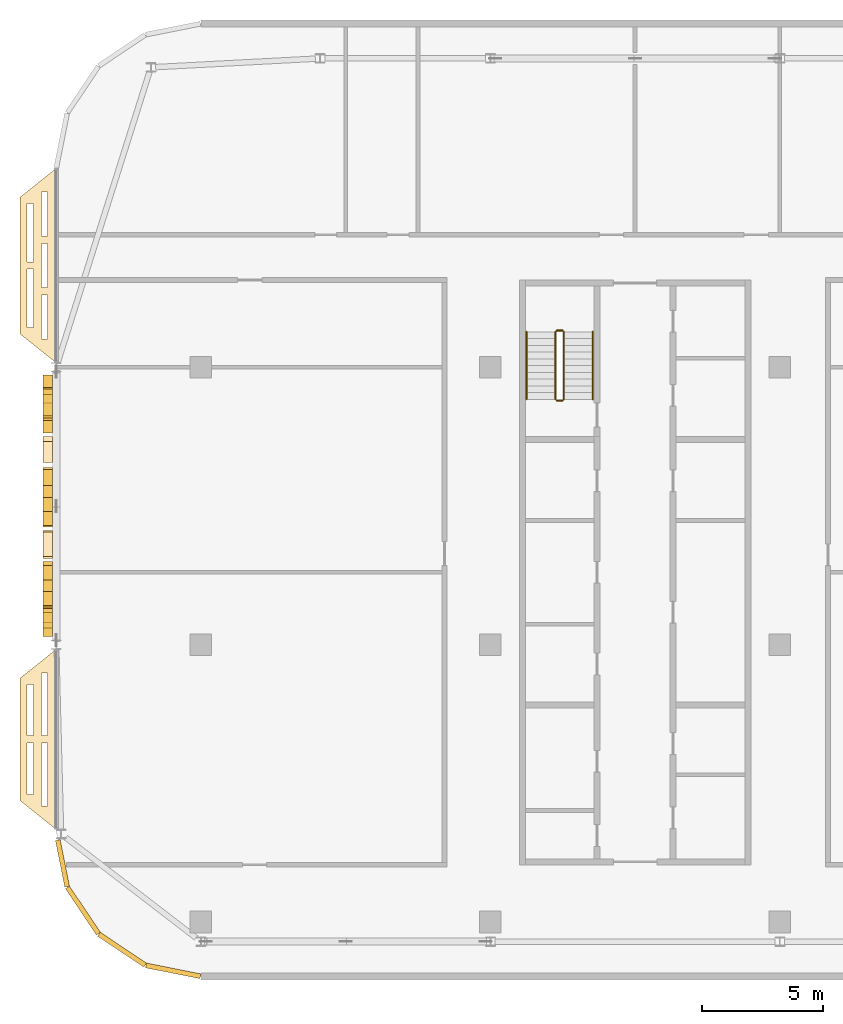
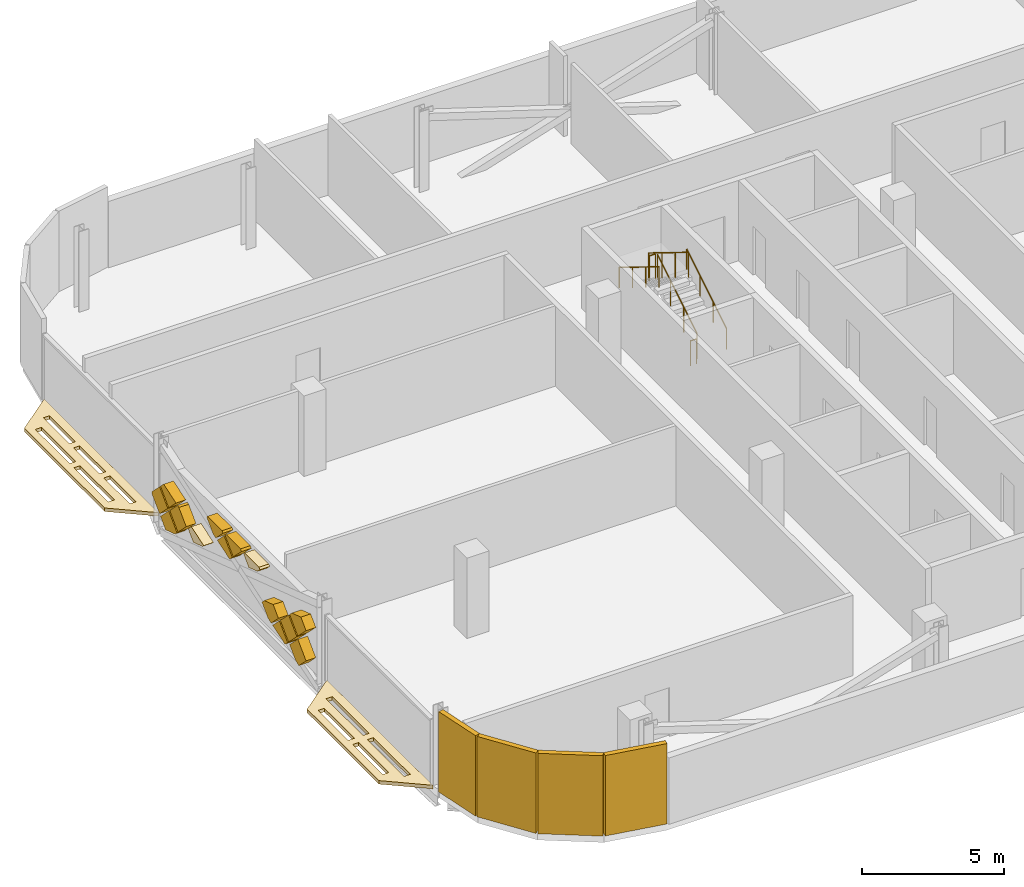
# One storey, part 24 of 28: 20 coverings, 6 railings.
"""IFC4 building model written with IfcOpenShell, lengths in metres."""

from ifc_helpers import new_model, si_unit, direction, frame, origin, origin_2d, place, context, subcontext, project, spatial, polyline, rectangle, circle, outline, extrude, material, layer, layer_set, type_object, element, save


model = new_model("IFC4")

# Units and contexts
model_context = context("Model", 3, precision=1e-05, world=origin(), true_north=direction((0.0, 1.0)))
body_context = subcontext(model_context, "Body", "Model", "MODEL_VIEW")
ifc_project = project(units=[si_unit("LENGTHUNIT", "METRE"), si_unit("AREAUNIT", "SQUARE_METRE"), si_unit("VOLUMEUNIT", "CUBIC_METRE"), si_unit("PLANEANGLEUNIT", "RADIAN"), si_unit("MASSUNIT", "GRAM", prefix="KILO")], contexts=[model_context])

# Site, building, storey
site_placement = place(None, origin())
site = spatial("IfcSite", under=ifc_project, at=site_placement, CompositionType="ELEMENT")
building_placement = place(site_placement, origin())
building = spatial("IfcBuilding", under=site, at=building_placement, Name="Mahtab Terrace Research Tower", CompositionType="ELEMENT")
storey_placement = place(building_placement, frame((0.0, 0.0, 267.10009765625)))
storey = spatial("IfcBuildingStorey", under=building, at=storey_placement, Name="L65", CompositionType="ELEMENT", Elevation=267.10009765625)

# Coverings
ifc_material_1 = material(Name="Black aluminium cladding panel", Category="aluminium")
ifc_layer_1 = layer(ifc_material_1, 0.199951171875)
ifc_layer_set_1 = layer_set([ifc_layer_1], Name="Black metal corner cladding 200")
covering_type_1 = type_object("IfcCoveringType", Name="Black metal corner cladding 200", PredefinedType="CLADDING", material=ifc_layer_set_1)
covering_1_placement = place(storey_placement, frame((-47.73876953125, -9.063720703125, 0.0), z_axis=(0.0, 0.0, 1.0), x_axis=(0.195212442692, -0.980760981187, 0.0)))
element("IfcCovering", 1, at=covering_1_placement, inside=storey, type_object=covering_type_1, Name="Corner cladding L65 11", PredefinedType="CLADDING", context=body_context, shape_type="SweptSolid", body=[
    extrude(rectangle(XDim=1.965576171875, YDim=0.199951171875, at=origin_2d()), origin(), (0.0, 0.0, 1.0), 3.4599609375),
])
for number, where, z_axis, x_axis, name in (
    (2, (-46.89306640625, -11.0205078125, 0.0), (0.0, 0.0, 1.0), (0.555291490808, -0.831655794326, 0.0), "Corner cladding L65 12"),
    (3, (-45.26953125, -12.64404296875, 0.0), (0.0, 0.0, 1.0), (0.831655794326, -0.555291490808, 0.0), "Corner cladding L65 13"),
    (4, (-43.14794921875, -13.5224609375, 0.0), (0.0, 0.0, 1.0), (0.980760981187, -0.195212442692, 0.0), "Corner cladding L65 14"),
):
    element("IfcCovering", number, at=place(storey_placement, frame(where, z_axis=z_axis, x_axis=x_axis)), inside=storey, type_object=covering_type_1, Name=name, PredefinedType="CLADDING", context=body_context, shape_type="SweptSolid", body=[
        extrude(rectangle(XDim=2.30126953125, YDim=0.199951171875, at=origin_2d()), origin(), (0.0, 0.0, 1.0), 3.4599609375),
    ])
ifc_material_2 = material(Name="Black anodised aluminium", Category="aluminium")
ifc_layer_2 = layer(ifc_material_2, 0.14990234375)
ifc_layer_set_2 = layer_set([ifc_layer_2], Name="Horizontal sunshade band")
covering_type_2 = type_object("IfcCoveringType", Name="Horizontal sunshade band", PredefinedType="CLADDING", material=ifc_layer_set_2)
covering_2_placement = place(storey_placement, frame((0.0, 0.0, -0.150146484375)))
element("IfcCovering", 5, at=covering_2_placement, inside=storey, type_object=covering_type_2, Name="Sunshade band L65 8", PredefinedType="CLADDING", context=body_context, shape_type="SweptSolid", body=[
    extrude(outline(polyline([(-48.0, 19.7509765625), (-48.0, 11.68798828125), (-49.5, 12.887939453125), (-49.5, 18.551025390625), (-48.0, 19.7509765625)]), holes=[polyline([(-48.35009765625, 18.77099609375), (-48.35009765625, 16.93701171875), (-48.60009765625, 16.93701171875), (-48.60009765625, 18.77099609375), (-48.35009765625, 18.77099609375)]), polyline([(-48.35009765625, 16.636962890625), (-48.35009765625, 14.802001953125), (-48.60009765625, 14.802001953125), (-48.60009765625, 16.636962890625), (-48.35009765625, 16.636962890625)]), polyline([(-48.35009765625, 14.501953125), (-48.35009765625, 12.66796875), (-48.60009765625, 12.66796875), (-48.60009765625, 14.501953125), (-48.35009765625, 14.501953125)]), polyline([(-48.949951171875, 18.291015625), (-48.949951171875, 15.8701171875), (-49.199951171875, 15.8701171875), (-49.199951171875, 18.291015625), (-48.949951171875, 18.291015625)]), polyline([(-48.949951171875, 15.570068359375), (-48.949951171875, 13.14794921875), (-49.199951171875, 13.14794921875), (-49.199951171875, 15.570068359375), (-48.949951171875, 15.570068359375)])]), origin(), (0.0, 0.0, 1.0), 0.150146484375),
])
covering_3_placement = place(storey_placement, frame((0.0, 0.0, -0.150146484375)))
element("IfcCovering", 6, at=covering_3_placement, inside=storey, type_object=covering_type_2, Name="Sunshade band L65 10", PredefinedType="CLADDING", context=body_context, shape_type="SweptSolid", body=[
    extrude(outline(polyline([(-48.0, -0.18798828125), (-48.0, -7.659912109375), (-49.5, -6.4599609375), (-49.5, -1.387939453125), (-48.0, -0.18798828125)]), holes=[polyline([(-48.35009765625, -1.16796875), (-48.35009765625, -3.77392578125), (-48.60009765625, -3.77392578125), (-48.60009765625, -1.16796875), (-48.35009765625, -1.16796875)]), polyline([(-48.35009765625, -4.073974609375), (-48.35009765625, -6.679931640625), (-48.60009765625, -6.679931640625), (-48.60009765625, -4.073974609375), (-48.35009765625, -4.073974609375)]), polyline([(-48.949951171875, -1.64794921875), (-48.949951171875, -3.77392578125), (-49.199951171875, -3.77392578125), (-49.199951171875, -1.64794921875), (-48.949951171875, -1.64794921875)]), polyline([(-48.949951171875, -4.073974609375), (-48.949951171875, -6.199951171875), (-49.199951171875, -6.199951171875), (-49.199951171875, -4.073974609375), (-48.949951171875, -4.073974609375)])]), origin(), (0.0, 0.0, 1.0), 0.150146484375),
])
ifc_material_3 = material(Name="Bronze anodised aluminium", Category="aluminium")
ifc_layer_3 = layer(ifc_material_3, 0.39990234375)
ifc_layer_set_3 = layer_set([ifc_layer_3], Name="Mashrabiya relief panel 400")
covering_type_3 = type_object("IfcCoveringType", Name="Mashrabiya relief panel 400", PredefinedType="CLADDING", material=ifc_layer_set_3)
covering_4_placement = place(storey_placement, frame((-48.14990234375, 10.662109375, 1.929931640625), z_axis=(1.0, 0.0, 0.0), x_axis=(0.0, -0.707106781187, -0.707106781187)))
element("IfcCovering", 7, at=covering_4_placement, inside=storey, type_object=covering_type_3, Name="Mashrabiya lattice cell L65 W9.1", PredefinedType="CLADDING", context=body_context, shape_type="SweptSolid", body=[
    extrude(outline(polyline([(0.0, 0.0), (0.8203543516109556, 0.0), (0.820181718119455, 0.820181718119455), (0.0920136509698315, 0.820181718119455), (0.0001726334915005956, 0.728340700641124), (0.0, 0.0)])), origin(), (0.0, 0.0, -1.0), 0.39990234375),
])
covering_5_placement = place(storey_placement, frame((-48.14990234375, 10.592041015625, 0.699951171875), z_axis=(1.0, 0.0, 0.0), x_axis=(0.0, -0.707255598772, 0.706957932274)))
element("IfcCovering", 8, at=covering_5_placement, inside=storey, type_object=covering_type_3, Name="Mashrabiya lattice cell L65 W9.2", PredefinedType="CLADDING", context=body_context, shape_type="SweptSolid", body=[
    extrude(outline(polyline([(0.0, 0.0), (0.8201817362875763, 0.0), (0.8205270032629295, 0.8201816636150915), (0.6154384199031768, 0.8202248310710712), (0.00010748260504045426, 0.5106498565472628), (0.0, 0.0)])), origin(), (0.0, 0.0, -1.0), 0.39990234375),
])
covering_6_placement = place(storey_placement, frame((-48.14990234375, 10.011962890625, 1.419921875), z_axis=(1.0, 0.0, 0.0), x_axis=(0.0, 0.707106781187, 0.707106781187)))
element("IfcCovering", 9, at=covering_6_placement, inside=storey, type_object=covering_type_3, Name="Mashrabiya lattice cell L65 W9.3", PredefinedType="CLADDING", context=body_context, shape_type="SweptSolid", body=[
    extrude(outline(polyline([(0.0, 0.0), (0.8203543516109556, 0.0), (0.8203543516109556, 0.3110855516841208), (0.0, 0.7240248633536085), (0.0, 0.0)])), origin(), (0.0, 0.0, -1.0), 0.39990234375),
])
covering_7_placement = place(storey_placement, frame((-48.14990234375, 8.781982421875, 1.349853515625), z_axis=(1.0, 0.0, 0.0), x_axis=(0.0, 0.707255598772, -0.706957932274)))
element("IfcCovering", 10, at=covering_7_placement, inside=storey, type_object=covering_type_3, Name="Mashrabiya lattice cell L65 W9.4", PredefinedType="CLADDING", context=body_context, shape_type="SweptSolid", body=[
    extrude(outline(polyline([(0.0, 0.0), (0.8201817362875763, 0.0), (0.8203543334390104, 0.8200090664636573), (0.04678371149659005, 0.8203445226535605), (0.0001533389429583809, 0.7285133179950809), (0.0, 0.0)])), origin(), (0.0, 0.0, -1.0), 0.39990234375),
])
covering_8_placement = place(storey_placement, frame((-48.14990234375, 8.64208984375, 1.349853515625), z_axis=(1.0, 0.0, 0.0), x_axis=(0.0, -0.707106781187, 0.707106781187)))
element("IfcCovering", 11, at=covering_8_placement, inside=storey, type_object=covering_type_3, Name="Mashrabiya lattice cell L65 W9.5", PredefinedType="CLADDING", context=body_context, shape_type="SweptSolid", body=[
    extrude(outline(polyline([(0.0, 0.0), (0.3169550903951419, 0.0), (0.7298944020646297, 0.8203543516109556), (0.6040445867606762, 0.820181718119455), (0.0, 0.5161741395868596), (0.0, 0.0)])), origin(), (0.0, 0.0, -1.0), 0.39990234375),
])
covering_9_placement = place(storey_placement, frame((-48.14990234375, 7.342041015625, 2.64990234375), z_axis=(1.0, 0.0, 0.0), x_axis=(0.0, -0.707106781187, 0.707106781187)))
element("IfcCovering", 12, at=covering_9_placement, inside=storey, type_object=covering_type_3, Name="Mashrabiya lattice cell L65 W9.6", PredefinedType="CLADDING", context=body_context, shape_type="SweptSolid", body=[
    extrude(outline(polyline([(0.0, 0.0), (0.09632948825734705, 0.0), (0.8203543516109556, 0.7240248633536085), (0.8203543516109556, 0.8203543516109556), (0.08907888161432093, 0.8203543516109555), (0.0, 0.6421965883823137), (0.0, 0.0)])), origin(), (0.0, 0.0, -1.0), 0.39990234375),
])
covering_10_placement = place(storey_placement, frame((-48.14990234375, 6.112060546875, 2.579833984375), z_axis=(1.0, 0.0, 0.0), x_axis=(0.0, -0.707255598772, -0.706957932274)))
element("IfcCovering", 13, at=covering_10_placement, inside=storey, type_object=covering_type_3, Name="Mashrabiya lattice cell L65 W9.7", PredefinedType="CLADDING", context=body_context, shape_type="SweptSolid", body=[
    extrude(outline(polyline([(0.0, 0.0), (0.8201817362875763, 0.0), (0.8201337724475988, 0.2278762037330585), (0.7933642812863435, 0.2815595862828953), (-0.00014316479508436064, 0.6801759414456442), (0.0, 0.0)])), origin(), (0.0, 0.0, -1.0), 0.39990234375),
])
covering_11_placement = place(storey_placement, frame((-48.14990234375, 4.882080078125, 2.64990234375), z_axis=(1.0, 0.0, 0.0), x_axis=(0.0, 0.706957932274, -0.707255598772)))
element("IfcCovering", 14, at=covering_11_placement, inside=storey, type_object=covering_type_3, Name="Mashrabiya lattice cell L65 W9.8", PredefinedType="CLADDING", context=body_context, shape_type="SweptSolid", body=[
    extrude(outline(polyline([(0.0, 0.0), (0.8201817362875763, 0.0), (0.8200090664636573, 0.8203543334390104), (0.7238521774915713, 0.8205067276396663), (-0.00019287277469736547, 0.0961568162996012), (0.0, 0.0)])), origin(), (0.0, 0.0, -1.0), 0.39990234375),
])
covering_12_placement = place(storey_placement, frame((-48.14990234375, 4.741943359375, 2.64990234375), z_axis=(1.0, 0.0, 0.0), x_axis=(0.0, -0.705836152128, 0.708375131092)))
element("IfcCovering", 15, at=covering_12_placement, inside=storey, type_object=covering_type_3, Name="Mashrabiya lattice cell L65 W9.9", PredefinedType="CLADDING", context=body_context, shape_type="SweptSolid", body=[
    extrude(outline(polyline([(0.0, 0.0), (0.0961570097329491, 0.0), (0.8190531665140134, 0.7254965026687659), (0.8187079000874461, 0.8216528925338038), (0.5784024671966042, 0.8212214644675725), (-0.0009496376400378592, 0.528948165501106), (0.0, 0.0)])), origin(), (0.0, 0.0, -1.0), 0.39990234375),
])
covering_13_placement = place(storey_placement, frame((-48.14990234375, 3.44189453125, 1.349853515625), z_axis=(1.0, 0.0, 0.0), x_axis=(0.0, -0.707106781187, 0.707106781187)))
element("IfcCovering", 16, at=covering_13_placement, inside=storey, type_object=covering_type_3, Name="Mashrabiya lattice cell L65 W9.10", PredefinedType="CLADDING", context=body_context, shape_type="SweptSolid", body=[
    extrude(outline(polyline([(0.0, 0.0), (0.22338773800180484, 0.0), (0.8203543516109556, 0.2996917412450798), (0.820181718119455, 0.820181718119455), (0.10168112649386635, 0.8201817181194551), (0.0, 0.6180278995722266), (0.0, 0.0)])), origin(), (0.0, 0.0, -1.0), 0.39990234375),
])
covering_14_placement = place(storey_placement, frame((-48.14990234375, 2.2119140625, 1.27978515625), z_axis=(1.0, 0.0, 0.0), x_axis=(0.0, -0.707106781187, -0.707106781187)))
element("IfcCovering", 17, at=covering_14_placement, inside=storey, type_object=covering_type_3, Name="Mashrabiya lattice cell L65 W9.11", PredefinedType="CLADDING", context=body_context, shape_type="SweptSolid", body=[
    extrude(outline(polyline([(0.0, 0.0), (0.8200090846279543, 0.0), (0.820181718119455, 0.2560154678954224), (-0.0001726334915006511, 0.6689547795649101), (0.0, 0.0)])), origin(), (0.0, 0.0, -1.0), 0.39990234375),
])
covering_15_placement = place(storey_placement, frame((-48.14990234375, 1.56201171875, 1.929931640625), z_axis=(1.0, 0.0, 0.0), x_axis=(0.0, -0.707106781187, -0.707106781187)))
element("IfcCovering", 18, at=covering_15_placement, inside=storey, type_object=covering_type_3, Name="Mashrabiya lattice cell L65 W9.12", PredefinedType="CLADDING", context=body_context, shape_type="SweptSolid", body=[
    extrude(outline(polyline([(0.0, 0.0), (0.8203543516109556, 0.0), (0.820181718119455, 0.820181718119455), (0.0, 0.8203543516109556), (0.0, 0.0)])), origin(), (0.0, 0.0, -1.0), 0.39990234375),
])
covering_16_placement = place(storey_placement, frame((-48.14990234375, 1.491943359375, 0.699951171875), z_axis=(1.0, 0.0, 0.0), x_axis=(0.0, -0.707106781187, 0.707106781187)))
element("IfcCovering", 19, at=covering_16_placement, inside=storey, type_object=covering_type_3, Name="Mashrabiya lattice cell L65 W9.13", PredefinedType="CLADDING", context=body_context, shape_type="SweptSolid", body=[
    extrude(outline(polyline([(0.0, 0.0), (0.8200090846279543, 0.0), (0.820181718119455, 0.820181718119455), (0.10737803171338689, 0.8203543516109556), (0.0, 0.6066340891331856), (0.0, 0.0)])), origin(), (0.0, 0.0, -1.0), 0.39990234375),
])
covering_17_placement = place(storey_placement, frame((-48.14990234375, 0.33203125, 2.0), z_axis=(1.0, 0.0, 0.0), x_axis=(0.0, 0.707106781187, -0.707106781187)))
element("IfcCovering", 20, at=covering_17_placement, inside=storey, type_object=covering_type_3, Name="Mashrabiya lattice cell L65 W9.14", PredefinedType="CLADDING", context=body_context, shape_type="SweptSolid", body=[
    extrude(outline(polyline([(0.0, 0.0), (0.8203543516109556, 0.0), (0.820181718119455, 0.820181718119455), (0.6095688584886961, 0.820181718119455), (0.0001726334915005956, 0.5132393702313491), (0.0, 0.0)])), origin(), (0.0, 0.0, -1.0), 0.39990234375),
])

# Railings
ifc_material_4 = material(Name="Stainless steel AISI 304", Category="steel")
railing_type_1 = type_object("IfcRailingType", Name="Stair guard 1100", PredefinedType="GUARDRAIL", material=ifc_material_4)
railing_1_placement = place(storey_placement, frame((-26.949951171875, 10.175048828125, 0.172607421875)))
element("IfcRailing", 21, at=railing_1_placement, inside=storey, type_object=railing_type_1, Name="L65 ST1 stair guard 1", PredefinedType="GUARDRAIL", context=body_context, shape_type="SweptSolid", body=[
    extrude(circle(Radius=0.02392578125, at=origin_2d()), frame((0.0, 0.0, 1.076171875), z_axis=(0.0, 0.851089632645, 0.525020415988), x_axis=(-1.0, 0.0, 0.0)), (0.0, 0.0, 1.0), 3.2900390625),
    extrude(circle(Radius=0.02099609375, at=origin_2d()), origin(), (0.0, 0.0, 1.0), 1.052001953125),
    extrude(circle(Radius=0.02099609375, at=origin_2d()), frame((0.0, 0.933349609375, 0.57568359375)), (0.0, 0.0, 1.0), 1.052001953125),
    extrude(circle(Radius=0.02099609375, at=origin_2d()), frame((0.0, 1.86669921875, 1.151611328125)), (0.0, 0.0, 1.0), 1.052001953125),
    extrude(circle(Radius=0.02099609375, at=origin_2d()), frame((0.0, 2.800048828125, 1.727294921875)), (0.0, 0.0, 1.0), 1.052001953125),
])
railing_2_placement = place(storey_placement, frame((-27.0, 13.02490234375, 1.89990234375)))
element("IfcRailing", 22, at=railing_2_placement, inside=storey, type_object=railing_type_1, Name="L65 ST1 stair guard 2", PredefinedType="GUARDRAIL", context=body_context, shape_type="SweptSolid", body=[
    extrude(circle(Radius=0.02392578125, at=origin_2d()), frame((0.0, 0.0, 1.076171875), z_axis=(-1.0, 0.0, 0.0), x_axis=(0.0, -1.0, 0.0)), (0.0, 0.0, 1.0), 0.25),
    extrude(circle(Radius=0.02099609375, at=origin_2d()), origin(), (0.0, 0.0, 1.0), 1.052001953125),
    extrude(circle(Radius=0.02099609375, at=origin_2d()), frame((-0.25, 0.0, 0.0)), (0.0, 0.0, 1.0), 1.052001953125),
])
railing_3_placement = place(storey_placement, frame((-27.300048828125, 12.97509765625, 2.072509765625)))
element("IfcRailing", 23, at=railing_3_placement, inside=storey, type_object=railing_type_1, Name="L65 ST1 stair guard 3", PredefinedType="GUARDRAIL", context=body_context, shape_type="SweptSolid", body=[
    extrude(circle(Radius=0.02392578125, at=origin_2d()), frame((0.0, 0.0, 1.076171875), z_axis=(0.0, -0.851089632645, 0.525020415988), x_axis=(1.0, 0.0, 0.0)), (0.0, 0.0, 1.0), 3.2900390625),
    extrude(circle(Radius=0.02099609375, at=origin_2d()), origin(), (0.0, 0.0, 1.0), 1.052001953125),
    extrude(circle(Radius=0.02099609375, at=origin_2d()), frame((0.0, -0.933349609375, 0.57568359375)), (0.0, 0.0, 1.0), 1.052001953125),
    extrude(circle(Radius=0.02099609375, at=origin_2d()), frame((0.0, -1.86669921875, 1.151611328125)), (0.0, 0.0, 1.0), 1.052001953125),
    extrude(circle(Radius=0.02099609375, at=origin_2d()), frame((0.0, -2.800048828125, 1.727294921875)), (0.0, 0.0, 1.0), 1.052001953125),
])
railing_4_placement = place(storey_placement, frame((-27.0, 10.125, 0.0)))
element("IfcRailing", 24, at=railing_4_placement, inside=storey, type_object=railing_type_1, Name="L65 ST1 stair guard 4", PredefinedType="GUARDRAIL", context=body_context, shape_type="SweptSolid", body=[
    extrude(circle(Radius=0.02392578125, at=origin_2d()), frame((0.0, 0.0, 1.076171875), z_axis=(-1.0, 0.0, 0.0), x_axis=(0.0, -1.0, 0.0)), (0.0, 0.0, 1.0), 0.25),
    extrude(circle(Radius=0.02099609375, at=origin_2d()), origin(), (0.0, 0.0, 1.0), 1.052001953125),
    extrude(circle(Radius=0.02099609375, at=origin_2d()), frame((-0.25, 0.0, 0.0)), (0.0, 0.0, 1.0), 1.052001953125),
])
railing_type_2 = type_object("IfcRailingType", Name="Stair handrail 900", PredefinedType="HANDRAIL", material=ifc_material_4)
railing_5_placement = place(storey_placement, frame((-25.75, 10.175048828125, 0.172607421875)))
element("IfcRailing", 25, at=railing_5_placement, inside=storey, type_object=railing_type_2, Name="L65 ST1 stair handrail 1", PredefinedType="HANDRAIL", context=body_context, shape_type="SweptSolid", body=[
    extrude(circle(Radius=0.02392578125, at=origin_2d()), frame((0.0, 0.0, 0.8759765625), z_axis=(0.0, 0.851089632645, 0.525020415988), x_axis=(-1.0, 0.0, 0.0)), (0.0, 0.0, 1.0), 3.2900390625),
    extrude(circle(Radius=0.02099609375, at=origin_2d()), origin(), (0.0, 0.0, 1.0), 0.851806640625),
    extrude(circle(Radius=0.02099609375, at=origin_2d()), frame((0.0, 0.933349609375, 0.57568359375)), (0.0, 0.0, 1.0), 0.851806640625),
    extrude(circle(Radius=0.02099609375, at=origin_2d()), frame((0.0, 1.86669921875, 1.151611328125)), (0.0, 0.0, 1.0), 0.851806640625),
    extrude(circle(Radius=0.02099609375, at=origin_2d()), frame((0.0, 2.800048828125, 1.727294921875)), (0.0, 0.0, 1.0), 0.851806640625),
])
railing_6_placement = place(storey_placement, frame((-28.5, 12.97509765625, 2.072509765625)))
element("IfcRailing", 26, at=railing_6_placement, inside=storey, type_object=railing_type_2, Name="L65 ST1 stair handrail 2", PredefinedType="HANDRAIL", context=body_context, shape_type="SweptSolid", body=[
    extrude(circle(Radius=0.02392578125, at=origin_2d()), frame((0.0, 0.0, 0.8759765625), z_axis=(0.0, -0.851089632645, 0.525020415988), x_axis=(1.0, 0.0, 0.0)), (0.0, 0.0, 1.0), 3.2900390625),
    extrude(circle(Radius=0.02099609375, at=origin_2d()), origin(), (0.0, 0.0, 1.0), 0.851806640625),
    extrude(circle(Radius=0.02099609375, at=origin_2d()), frame((0.0, -0.933349609375, 0.57568359375)), (0.0, 0.0, 1.0), 0.851806640625),
    extrude(circle(Radius=0.02099609375, at=origin_2d()), frame((0.0, -1.86669921875, 1.151611328125)), (0.0, 0.0, 1.0), 0.851806640625),
    extrude(circle(Radius=0.02099609375, at=origin_2d()), frame((0.0, -2.800048828125, 1.727294921875)), (0.0, 0.0, 1.0), 0.851806640625),
])

save(model, "model.ifc")
